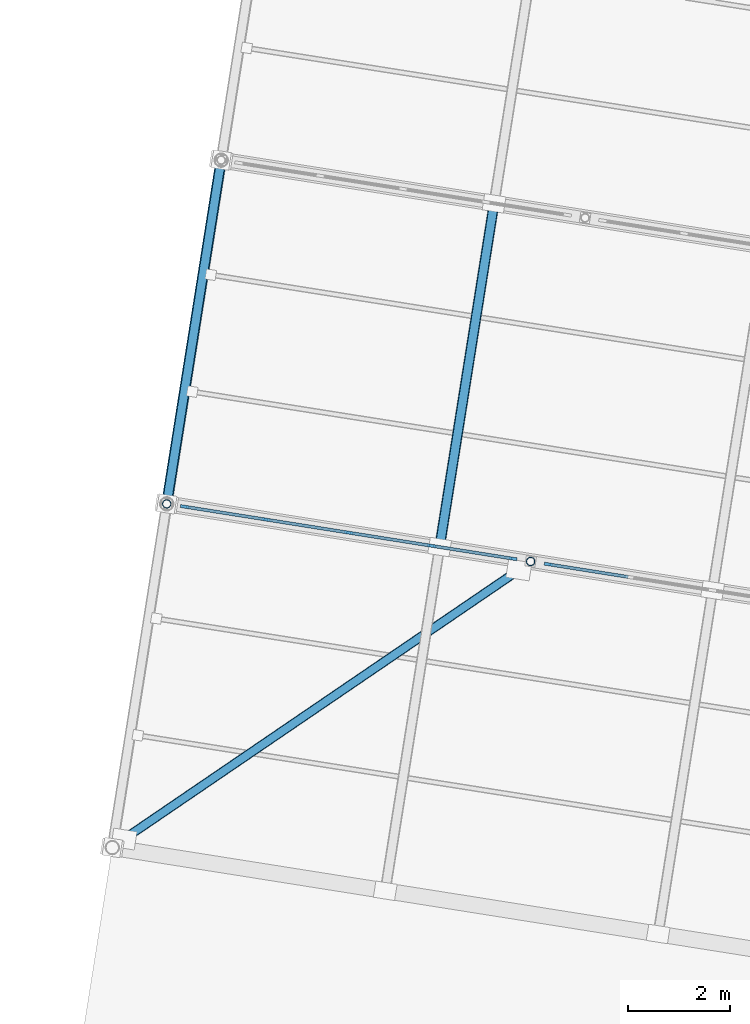
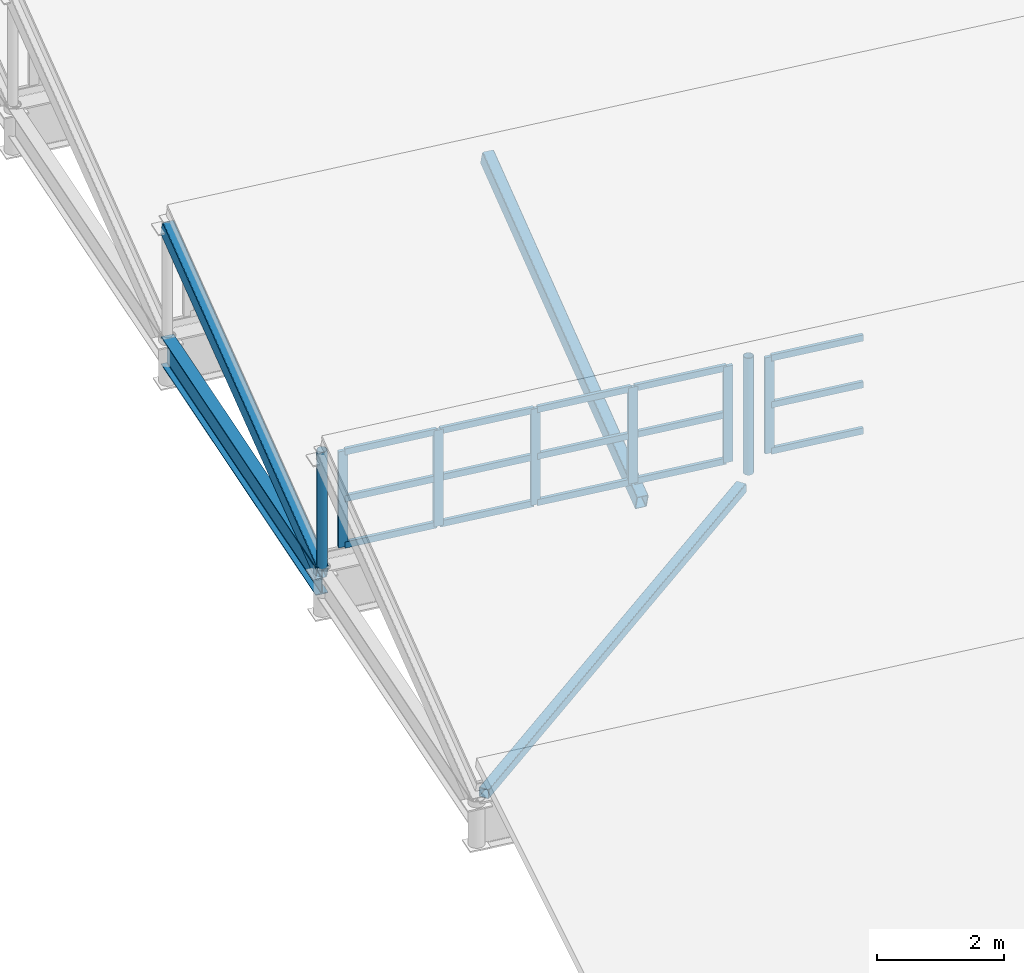
# One storey, part 34 of 65: 26 members, 1 beam, 2 elements without a shape of their own.
"""IFC4 building model written with IfcOpenShell, lengths in metres."""

from ifc_helpers import new_model, si_unit, direction, frame, origin, origin_2d, place, context, subcontext, project, spatial, rectangle, hollow_rectangle, hollow_circle, i_section, extrude, material, material_profile, profile_set, type_object, element, aggregate, save


model = new_model("IFC4")

# Units and contexts
model_context = context("Model", 3, precision=1e-05, world=origin(), true_north=direction((0.0, 1.0)))
body_context = subcontext(model_context, "Body", "Model", "MODEL_VIEW")
ifc_project = project(units=[si_unit("LENGTHUNIT", "METRE"), si_unit("AREAUNIT", "SQUARE_METRE"), si_unit("VOLUMEUNIT", "CUBIC_METRE"), si_unit("PLANEANGLEUNIT", "RADIAN"), si_unit("MASSUNIT", "GRAM", prefix="KILO")], contexts=[model_context])

# Site, building, storey
site_placement = place(None, origin())
site = spatial("IfcSite", under=ifc_project, at=site_placement, CompositionType="ELEMENT")
building_placement = place(site_placement, origin())
building = spatial("IfcBuilding", under=site, at=building_placement, Name="Cinderway Yard Community Centre", CompositionType="ELEMENT")
storey_placement = place(building_placement, frame((0.0, 0.0, 24.300048828125)))
storey = spatial("IfcBuildingStorey", under=building, at=storey_placement, Name="RF", CompositionType="ELEMENT", Elevation=24.300048828125)

# Curtain wall, members
ifc_material_1 = material(Name="Aluminium 6063-T6", Category="aluminium")
curtain_wall_type = type_object("IfcCurtainWallType", Name="ENV-CW-TYPE-23", PredefinedType="USERDEFINED", material=ifc_material_1)
curtain_wall_1_placement = place(storey_placement, origin())
curtain_wall_1 = element("IfcCurtainWall", 1, at=curtain_wall_1_placement, inside=storey, type_object=curtain_wall_type, Name="Sawtooth North-Light Clerestory ENV-CW-RF-ST-0072", ObjectType="GLAZED CURTAIN WALL", PredefinedType="USERDEFINED")
ifc_material_profile_1 = material_profile(ifc_material_1, rectangle(XDim=0.06005859375, YDim=0.159912109375, at=origin_2d()), Name="Aluminium 6063-T6")
ifc_profile_set_1 = profile_set([ifc_material_profile_1], Name="Aluminium 6063-T6")
member_type_1 = type_object("IfcMemberType", Name="ENV-CW-MULL-150", PredefinedType="MULLION", material=ifc_profile_set_1)
member_1_placement = place(storey_placement, frame((119.40966796875, 44.661376953125, -10.199951171875), z_axis=(0.0, 0.0, 1.0), x_axis=(0.15640876877, 0.987692410142, 0.0)))
member_1 = element("IfcMember", 2, at=member_1_placement, type_object=member_type_1, Name="CW-23 mullion 1", PredefinedType="MULLION", context=body_context, shape_type="SweptSolid", body=[
    extrude(rectangle(XDim=0.06005859375, YDim=0.159912109375, at=origin_2d()), origin(), (0.0, 0.0, 1.0), 1.849853515625),
])
member_2_placement = place(storey_placement, frame((120.999755859375, 44.409423828125, -10.199951171875), z_axis=(0.0, 0.0, 1.0), x_axis=(0.15640876877, 0.987692410142, 0.0)))
member_2 = element("IfcMember", 3, at=member_2_placement, type_object=member_type_1, Name="CW-23 mullion 2", PredefinedType="MULLION", context=body_context, shape_type="SweptSolid", body=[
    extrude(rectangle(XDim=0.06005859375, YDim=0.159912109375, at=origin_2d()), origin(), (0.0, 0.0, 1.0), 1.849853515625),
])
member_3_placement = place(storey_placement, frame((122.619384765625, 44.153076171875, -10.199951171875), z_axis=(0.0, 0.0, 1.0), x_axis=(0.15640876877, 0.987692410142, 0.0)))
member_3 = element("IfcMember", 4, at=member_3_placement, type_object=member_type_1, Name="CW-23 mullion 3", PredefinedType="MULLION", context=body_context, shape_type="SweptSolid", body=[
    extrude(rectangle(XDim=0.06005859375, YDim=0.159912109375, at=origin_2d()), origin(), (0.0, 0.0, 1.0), 1.849853515625),
])
member_4_placement = place(storey_placement, frame((124.2392578125, 43.896484375, -10.199951171875), z_axis=(0.0, 0.0, 1.0), x_axis=(0.15640876877, 0.987692410142, 0.0)))
member_4 = element("IfcMember", 5, at=member_4_placement, type_object=member_type_1, Name="CW-23 mullion 4", PredefinedType="MULLION", context=body_context, shape_type="SweptSolid", body=[
    extrude(rectangle(XDim=0.06005859375, YDim=0.159912109375, at=origin_2d()), origin(), (0.0, 0.0, 1.0), 1.849853515625),
])
member_5_placement = place(storey_placement, frame((125.829345703125, 43.644775390625, -10.199951171875), z_axis=(0.0, 0.0, 1.0), x_axis=(0.15640876877, 0.987692410142, 0.0)))
member_5 = element("IfcMember", 6, at=member_5_placement, type_object=member_type_1, Name="CW-23 mullion 5", PredefinedType="MULLION", context=body_context, shape_type="SweptSolid", body=[
    extrude(rectangle(XDim=0.06005859375, YDim=0.159912109375, at=origin_2d()), origin(), (0.0, 0.0, 1.0), 1.849853515625),
])

# Curtain wall, member
curtain_wall_2_placement = place(storey_placement, origin())
curtain_wall_2 = element("IfcCurtainWall", 7, at=curtain_wall_2_placement, inside=storey, type_object=curtain_wall_type, Name="Sawtooth North-Light Clerestory ENV-CW-RF-ST-0073", ObjectType="GLAZED CURTAIN WALL", PredefinedType="USERDEFINED")
member_6_placement = place(storey_placement, frame((126.520751953125, 43.535400390625, -10.199951171875), z_axis=(0.0, 0.0, 1.0), x_axis=(0.15640876877, 0.987692410142, 0.0)))
member_6 = element("IfcMember", 8, at=member_6_placement, type_object=member_type_1, Name="CW-23 mullion 1", PredefinedType="MULLION", context=body_context, shape_type="SweptSolid", body=[
    extrude(rectangle(XDim=0.06005859375, YDim=0.159912109375, at=origin_2d()), origin(), (0.0, 0.0, 1.0), 1.849853515625),
])

# Member
ifc_material_profile_2 = material_profile(ifc_material_1, rectangle(XDim=0.06005859375, YDim=0.1201171875, at=origin_2d()), Name="Aluminium 6063-T6")
ifc_profile_set_2 = profile_set([ifc_material_profile_2], Name="Aluminium 6063-T6")
member_type_2 = type_object("IfcMemberType", Name="ENV-CW-TRAN-110", PredefinedType="USERDEFINED", material=ifc_profile_set_2)
member_7_placement = place(storey_placement, frame((119.439208984375, 44.656494140625, -10.170166015625), z_axis=(0.987718227202, -0.156245651632, 0.0), x_axis=(0.156245651632, 0.987718227202, 0.0)))
member_7 = element("IfcMember", 9, at=member_7_placement, type_object=member_type_2, Name="CW-23 transom 1.1", ObjectType="TRANSOM", PredefinedType="USERDEFINED", context=body_context, shape_type="SweptSolid", body=[
    extrude(rectangle(XDim=0.06005859375, YDim=0.1201171875, at=origin_2d()), origin(), (0.0, 0.0, 1.0), 1.550048828125),
])

member_8_placement = place(storey_placement, frame((119.439208984375, 44.656494140625, -9.280029296875), z_axis=(0.987718227202, -0.156245651632, 0.0), x_axis=(0.156245651632, 0.987718227202, 0.0)))
member_8 = element("IfcMember", 10, at=member_8_placement, type_object=member_type_2, Name="CW-23 transom 1.2", ObjectType="TRANSOM", PredefinedType="USERDEFINED", context=body_context, shape_type="SweptSolid", body=[
    extrude(rectangle(XDim=0.06005859375, YDim=0.1201171875, at=origin_2d()), origin(), (0.0, 0.0, 1.0), 1.550048828125),
])

member_9_placement = place(storey_placement, frame((119.439208984375, 44.656494140625, -8.380126953125), z_axis=(0.987718227202, -0.156245651632, 0.0), x_axis=(0.156245651632, 0.987718227202, 0.0)))
member_9 = element("IfcMember", 11, at=member_9_placement, type_object=member_type_2, Name="CW-23 transom 1.3", ObjectType="TRANSOM", PredefinedType="USERDEFINED", context=body_context, shape_type="SweptSolid", body=[
    extrude(rectangle(XDim=0.06005859375, YDim=0.1201171875, at=origin_2d()), origin(), (0.0, 0.0, 1.0), 1.550048828125),
])

member_10_placement = place(storey_placement, frame((121.029296875, 44.40478515625, -10.170166015625), z_axis=(0.987697729788, -0.156375172488, 0.0), x_axis=(0.156375172488, 0.987697729788, 0.0)))
member_10 = element("IfcMember", 12, at=member_10_placement, type_object=member_type_2, Name="CW-23 transom 2.1", ObjectType="TRANSOM", PredefinedType="USERDEFINED", context=body_context, shape_type="SweptSolid", body=[
    extrude(rectangle(XDim=0.06005859375, YDim=0.1201171875, at=origin_2d()), origin(), (0.0, 0.0, 1.0), 1.580078125),
])

member_11_placement = place(storey_placement, frame((121.029296875, 44.40478515625, -9.280029296875), z_axis=(0.987697729788, -0.156375172488, 0.0), x_axis=(0.156375172488, 0.987697729788, 0.0)))
member_11 = element("IfcMember", 13, at=member_11_placement, type_object=member_type_2, Name="CW-23 transom 2.2", ObjectType="TRANSOM", PredefinedType="USERDEFINED", context=body_context, shape_type="SweptSolid", body=[
    extrude(rectangle(XDim=0.06005859375, YDim=0.1201171875, at=origin_2d()), origin(), (0.0, 0.0, 1.0), 1.580078125),
])

member_12_placement = place(storey_placement, frame((121.029296875, 44.40478515625, -8.380126953125), z_axis=(0.987697729788, -0.156375172488, 0.0), x_axis=(0.156375172488, 0.987697729788, 0.0)))
member_12 = element("IfcMember", 14, at=member_12_placement, type_object=member_type_2, Name="CW-23 transom 2.3", ObjectType="TRANSOM", PredefinedType="USERDEFINED", context=body_context, shape_type="SweptSolid", body=[
    extrude(rectangle(XDim=0.06005859375, YDim=0.1201171875, at=origin_2d()), origin(), (0.0, 0.0, 1.0), 1.580078125),
])

member_13_placement = place(storey_placement, frame((122.649169921875, 44.148193359375, -10.170166015625), z_axis=(0.987697729788, -0.156375172488, 0.0), x_axis=(0.156375172488, 0.987697729788, 0.0)))
member_13 = element("IfcMember", 15, at=member_13_placement, type_object=member_type_2, Name="CW-23 transom 3.1", ObjectType="TRANSOM", PredefinedType="USERDEFINED", context=body_context, shape_type="SweptSolid", body=[
    extrude(rectangle(XDim=0.06005859375, YDim=0.1201171875, at=origin_2d()), origin(), (0.0, 0.0, 1.0), 1.580078125),
])

member_14_placement = place(storey_placement, frame((122.649169921875, 44.148193359375, -9.280029296875), z_axis=(0.987697729788, -0.156375172488, 0.0), x_axis=(0.156375172488, 0.987697729788, 0.0)))
member_14 = element("IfcMember", 16, at=member_14_placement, type_object=member_type_2, Name="CW-23 transom 3.2", ObjectType="TRANSOM", PredefinedType="USERDEFINED", context=body_context, shape_type="SweptSolid", body=[
    extrude(rectangle(XDim=0.06005859375, YDim=0.1201171875, at=origin_2d()), origin(), (0.0, 0.0, 1.0), 1.580078125),
])

member_15_placement = place(storey_placement, frame((122.649169921875, 44.148193359375, -8.380126953125), z_axis=(0.987697729788, -0.156375172488, 0.0), x_axis=(0.156375172488, 0.987697729788, 0.0)))
member_15 = element("IfcMember", 17, at=member_15_placement, type_object=member_type_2, Name="CW-23 transom 3.3", ObjectType="TRANSOM", PredefinedType="USERDEFINED", context=body_context, shape_type="SweptSolid", body=[
    extrude(rectangle(XDim=0.06005859375, YDim=0.1201171875, at=origin_2d()), origin(), (0.0, 0.0, 1.0), 1.580078125),
])

member_16_placement = place(storey_placement, frame((124.268798828125, 43.891845703125, -10.170166015625), z_axis=(0.987693908517, -0.156399306515, 0.0), x_axis=(0.156399306515, 0.987693908517, 0.0)))
member_16 = element("IfcMember", 18, at=member_16_placement, type_object=member_type_2, Name="CW-23 transom 4.1", ObjectType="TRANSOM", PredefinedType="USERDEFINED", context=body_context, shape_type="SweptSolid", body=[
    extrude(rectangle(XDim=0.06005859375, YDim=0.1201171875, at=origin_2d()), origin(), (0.0, 0.0, 1.0), 1.550048828125),
])

member_17_placement = place(storey_placement, frame((124.268798828125, 43.891845703125, -9.280029296875), z_axis=(0.987693908517, -0.156399306515, 0.0), x_axis=(0.156399306515, 0.987693908517, 0.0)))
member_17 = element("IfcMember", 19, at=member_17_placement, type_object=member_type_2, Name="CW-23 transom 4.2", ObjectType="TRANSOM", PredefinedType="USERDEFINED", context=body_context, shape_type="SweptSolid", body=[
    extrude(rectangle(XDim=0.06005859375, YDim=0.1201171875, at=origin_2d()), origin(), (0.0, 0.0, 1.0), 1.550048828125),
])

member_18_placement = place(storey_placement, frame((124.268798828125, 43.891845703125, -8.380126953125), z_axis=(0.987693908517, -0.156399306515, 0.0), x_axis=(0.156399306515, 0.987693908517, 0.0)))
member_18 = element("IfcMember", 20, at=member_18_placement, type_object=member_type_2, Name="CW-23 transom 4.3", ObjectType="TRANSOM", PredefinedType="USERDEFINED", context=body_context, shape_type="SweptSolid", body=[
    extrude(rectangle(XDim=0.06005859375, YDim=0.1201171875, at=origin_2d()), origin(), (0.0, 0.0, 1.0), 1.550048828125),
])

aggregate(curtain_wall_1, [member_1, member_2, member_3, member_4, member_5, member_7, member_8, member_9, member_10, member_11, member_12, member_13, member_14, member_15, member_16, member_17, member_18])

member_19_placement = place(storey_placement, frame((126.55029296875, 43.530517578125, -10.170166015625), z_axis=(0.987690055006, -0.15642364029, 0.0), x_axis=(0.15642364029, 0.987690055006, 0.0)))
member_19 = element("IfcMember", 21, at=member_19_placement, type_object=member_type_2, Name="CW-23 transom 1.1", ObjectType="TRANSOM", PredefinedType="USERDEFINED", context=body_context, shape_type="SweptSolid", body=[
    extrude(rectangle(XDim=0.06005859375, YDim=0.1201171875, at=origin_2d()), origin(), (0.0, 0.0, 1.0), 1.5498046875),
])

member_20_placement = place(storey_placement, frame((126.55029296875, 43.530517578125, -9.280029296875), z_axis=(0.987690055006, -0.15642364029, 0.0), x_axis=(0.15642364029, 0.987690055006, 0.0)))
member_20 = element("IfcMember", 22, at=member_20_placement, type_object=member_type_2, Name="CW-23 transom 1.2", ObjectType="TRANSOM", PredefinedType="USERDEFINED", context=body_context, shape_type="SweptSolid", body=[
    extrude(rectangle(XDim=0.06005859375, YDim=0.1201171875, at=origin_2d()), origin(), (0.0, 0.0, 1.0), 1.5498046875),
])

member_21_placement = place(storey_placement, frame((126.55029296875, 43.530517578125, -8.380126953125), z_axis=(0.987690055006, -0.15642364029, 0.0), x_axis=(0.15642364029, 0.987690055006, 0.0)))
member_21 = element("IfcMember", 23, at=member_21_placement, type_object=member_type_2, Name="CW-23 transom 1.3", ObjectType="TRANSOM", PredefinedType="USERDEFINED", context=body_context, shape_type="SweptSolid", body=[
    extrude(rectangle(XDim=0.06005859375, YDim=0.1201171875, at=origin_2d()), origin(), (0.0, 0.0, 1.0), 1.5498046875),
])

aggregate(curtain_wall_2, [member_6, member_19, member_20, member_21])

# Beam
ifc_material_2 = material(Name="Steel S355", Category="steel")
ifc_material_profile_3 = material_profile(ifc_material_2, i_section(OverallWidth=0.2109375, OverallDepth=0.5390625, WebThickness=0.010986328125, FlangeThickness=0.017333984375, FilletRadius=0.013916015625, at=origin_2d()), Name="Steel S355")
ifc_profile_set_3 = profile_set([ifc_material_profile_3], Name="Steel S355")
beam_type = type_object("IfcBeamType", Name="STR-BM-W530X109", PredefinedType="BEAM", material=ifc_profile_set_3)
beam_placement = place(storey_placement, frame((119.06396484375, 44.716064453125, -10.77001953125), z_axis=(0.156447383815, 0.987686294376, 0.0), x_axis=(-0.987686294376, 0.156447383815, 0.0)))
element("IfcBeam", 24, at=beam_placement, inside=storey, type_object=beam_type, Name="Sports eave beam W STR-BM-RF-SB06-1013", PredefinedType="BEAM", context=body_context, shape_type="SweptSolid", body=[
    extrude(i_section(OverallWidth=0.2109375, OverallDepth=0.5390625, WebThickness=0.010986328125, FlangeThickness=0.017333984375, FilletRadius=0.013916015625, at=origin_2d()), origin(), (0.0, 0.0, 1.0), 6.80078125),
])

# Members
ifc_material_profile_4 = material_profile(ifc_material_2, hollow_rectangle(XDim=0.179931640625, YDim=0.179931640625, WallThickness=0.010009765625, InnerFilletRadius=0.010009765625, OuterFilletRadius=0.02001953125, at=origin_2d()), Name="Steel S355")
ifc_profile_set_4 = profile_set([ifc_material_profile_4], Name="Steel S355")
member_type_3 = type_object("IfcMemberType", Name="STR-MEM-BRACE-180", PredefinedType="BRACE", material=ifc_profile_set_4)
member_22_placement = place(storey_placement, frame((118.22900390625, 38.166015625, -10.60009765625), z_axis=(0.826404856463, 0.563076383108, 0.0), x_axis=(-0.563076383108, 0.826404856463, 0.0)))
element("IfcMember", 25, at=member_22_placement, inside=storey, type_object=member_type_3, Name="Roof plane diagonal brace B1-W", PredefinedType="BRACE", context=body_context, shape_type="SweptSolid", body=[
    extrude(hollow_rectangle(XDim=0.179931640625, YDim=0.179931640625, WallThickness=0.010009765625, InnerFilletRadius=0.010009765625, OuterFilletRadius=0.02001953125, at=origin_2d()), origin(), (0.0, 0.0, 1.0), 9.338134765625),
])
ifc_material_profile_5 = material_profile(ifc_material_2, hollow_rectangle(XDim=0.199951171875, YDim=0.300048828125, WallThickness=0.012451171875, InnerFilletRadius=0.012451171875, OuterFilletRadius=0.02490234375, at=origin_2d()), Name="Steel S355")
ifc_profile_set_5 = profile_set([ifc_material_profile_5], Name="Steel S355")
member_type_4 = type_object("IfcMemberType", Name="STR-MEM-RAFTER-300", PredefinedType="RAFTER", material=ifc_profile_set_5)
member_23_placement = place(storey_placement, frame((119.06396484375, 44.716064453125, -10.6201171875), z_axis=(0.148852944335, 0.939740949398, 0.307781982882), x_axis=(-0.987686294376, 0.156447383815, 0.0)))
element("IfcMember", 26, at=member_23_placement, inside=storey, type_object=member_type_4, Name="Sawtooth raked rafter B2-000", PredefinedType="RAFTER", context=body_context, shape_type="SweptSolid", body=[
    extrude(hollow_rectangle(XDim=0.199951171875, YDim=0.300048828125, WallThickness=0.012451171875, InnerFilletRadius=0.012451171875, OuterFilletRadius=0.02490234375, at=origin_2d()), origin(), (0.0, 0.0, 1.0), 7.147705078125),
])
member_24_placement = place(storey_placement, frame((124.39697265625, 43.8720703125, -10.6201171875), z_axis=(0.148876837345, 0.939720982492, 0.30783138626), x_axis=(-0.987681899939, 0.156475124325, 0.0)))
element("IfcMember", 27, at=member_24_placement, inside=storey, type_object=member_type_4, Name="Sawtooth raked rafter B2-054", PredefinedType="RAFTER", context=body_context, shape_type="SweptSolid", body=[
    extrude(hollow_rectangle(XDim=0.199951171875, YDim=0.300048828125, WallThickness=0.012451171875, InnerFilletRadius=0.012451171875, OuterFilletRadius=0.02490234375, at=origin_2d()), origin(), (0.0, 0.0, 1.0), 7.146728515625),
])
ifc_material_profile_6 = material_profile(ifc_material_2, hollow_circle(Radius=0.084228515625, WallThickness=0.008056640625, at=origin_2d()), Name="Steel S355")
ifc_profile_set_6 = profile_set([ifc_material_profile_6], Name="Steel S355")
member_type_5 = type_object("IfcMemberType", Name="STR-MEM-STRUT-CHS168", PredefinedType="STRUT", material=ifc_profile_set_6)
for number, where, z_axis, x_axis, name in (
    (28, (119.06396484375, 44.716064453125, -10.5), (0.0, 0.0, 1.0), (1.0, 0.0, 0.0), "Sawtooth kingpost B1-000"),
    (29, (126.175048828125, 43.590087890625, -10.5), (0.0, 0.0, 1.0), (1.0, 0.0, 0.0), "Sawtooth kingpost B1-072"),
):
    element("IfcMember", number, at=place(storey_placement, frame(where, z_axis=z_axis, x_axis=x_axis)), inside=storey, type_object=member_type_5, Name=name, PredefinedType="STRUT", context=body_context, shape_type="SweptSolid", body=[
        extrude(hollow_circle(Radius=0.084228515625, WallThickness=0.008056640625, at=origin_2d()), origin(), (0.0, 0.0, 1.0), 2.25),
    ])

save(model, "model.ifc")
